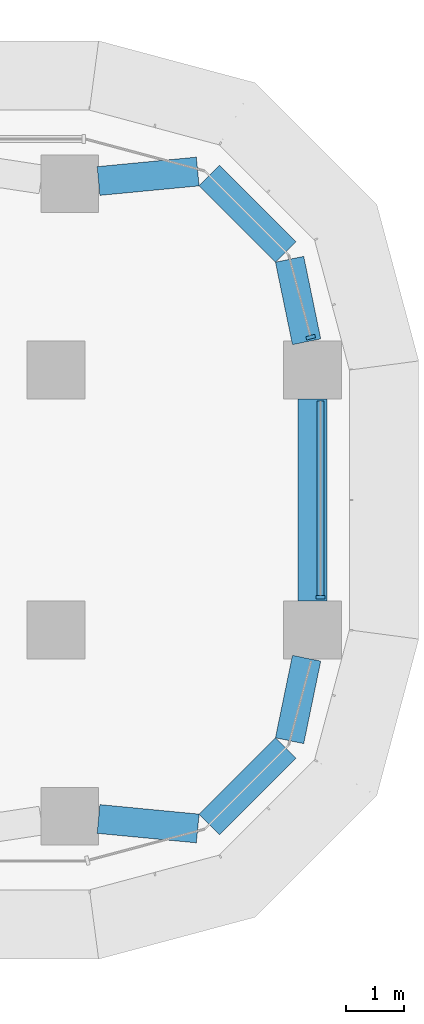
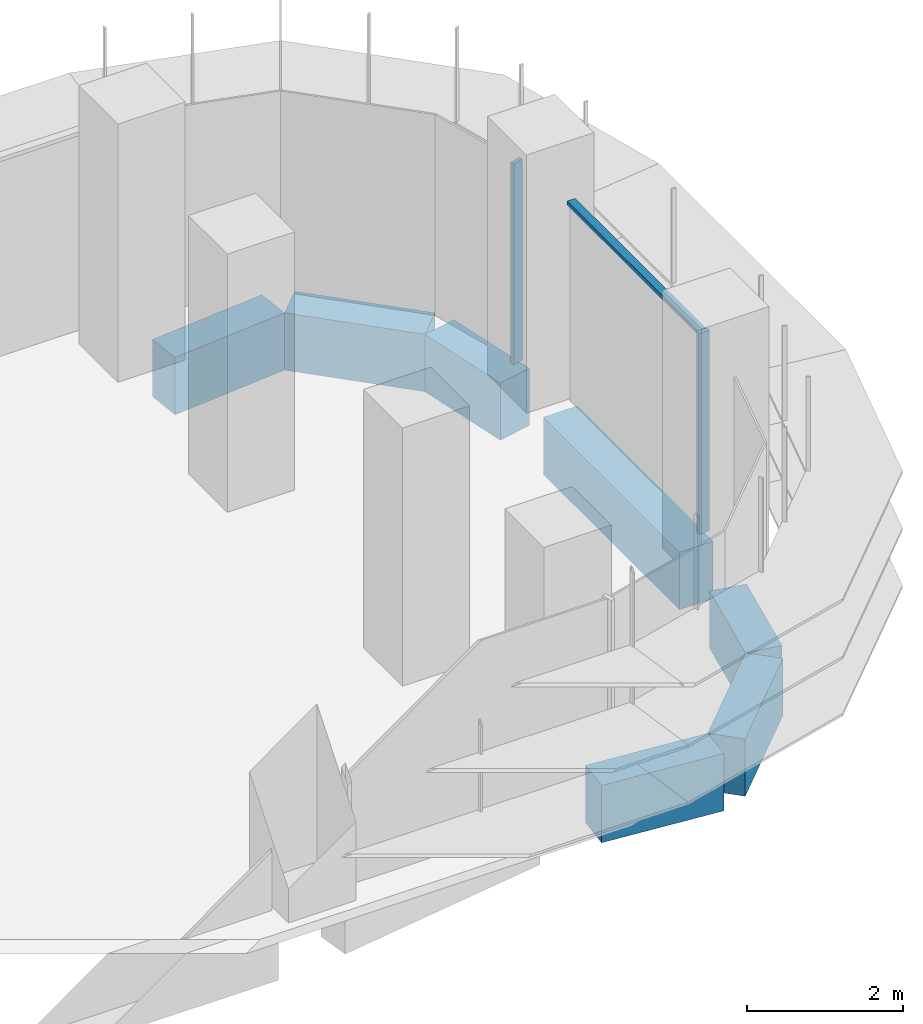
# One storey, part 11 of 23: 7 beams, 3 members, 2 elements without a shape of their own.
"""IFC4 building model written with IfcOpenShell, lengths in metres."""

from ifc_helpers import new_model, si_unit, direction, frame, origin, origin_2d, place, context, subcontext, project, spatial, polyline, rectangle, outline, extrude, source, transform, mapped, material, material_profile, profile_set, type_object, element, aggregate, save


model = new_model("IFC4")

# Units and contexts
model_context = context("Model", 3, precision=1e-05, world=origin(), true_north=direction((0.0, 1.0)))
body_context = subcontext(model_context, "Body", "Model", "MODEL_VIEW")
ifc_project = project(units=[si_unit("LENGTHUNIT", "METRE"), si_unit("AREAUNIT", "SQUARE_METRE"), si_unit("VOLUMEUNIT", "CUBIC_METRE"), si_unit("PLANEANGLEUNIT", "RADIAN"), si_unit("MASSUNIT", "GRAM", prefix="KILO")], contexts=[model_context])

# Site, building, storey
site_placement = place(None, origin())
site = spatial("IfcSite", under=ifc_project, at=site_placement, CompositionType="ELEMENT")
building_placement = place(site_placement, origin())
building = spatial("IfcBuilding", under=site, at=building_placement, Name="Zarbagh Exchange Tower", CompositionType="ELEMENT")
storey_placement = place(building_placement, frame((0.0, 0.0, 73.199951171875)))
storey = spatial("IfcBuildingStorey", under=building, at=storey_placement, Name="L16", CompositionType="ELEMENT", Elevation=73.199951171875)

# Beams
ifc_material_1 = material(Name="Concrete C60/75", Category="concrete")
ifc_material_profile = material_profile(ifc_material_1, rectangle(XDim=0.5, YDim=0.89990234375, at=origin_2d()), Name="RC spandrel beam 500 x 900 C60/75")
ifc_profile_set = profile_set([ifc_material_profile], Name="Concrete C60/75")
beam_type = type_object("IfcBeamType", Name="RC spandrel beam 500 x 900 C60/75", PredefinedType="SPANDREL", material=ifc_profile_set)
beam_1_placement = place(storey_placement, frame((29.40576171875, 5.522705078125, -0.599853515625), z_axis=(0.995431032456, 0.095483294999, 0.0), x_axis=(-0.095483294999, 0.995431032456, 0.0)))
element("IfcBeam", 1, at=beam_1_placement, inside=storey, type_object=beam_type, Name="RC spandrel beam", PredefinedType="SPANDREL", context=body_context, shape_type="SweptSolid", body=[
    extrude(rectangle(XDim=0.5, YDim=0.89990234375, at=origin_2d()), origin(), (0.0, 0.0, 1.0), 1.725830078125),
])
beam_2_placement = place(storey_placement, frame((31.324462890625, 5.615478515625, -0.599853515625), z_axis=(0.707172099812, -0.707041456527, 0.0), x_axis=(0.707041456527, 0.707172099812, 0.0)))
element("IfcBeam", 2, at=beam_2_placement, inside=storey, type_object=beam_type, Name="RC spandrel beam", PredefinedType="SPANDREL", context=body_context, shape_type="SweptSolid", body=[
    extrude(rectangle(XDim=0.5, YDim=0.89990234375, at=origin_2d()), origin(), (0.0, 0.0, 1.0), 1.86865234375),
])
beam_3_placement = place(storey_placement, frame((32.714111328125, 4.16796875, -0.599853515625), z_axis=(0.202068589164, -0.9793713725, 0.0), x_axis=(0.9793713725, 0.202068589164, 0.0)))
element("IfcBeam", 3, at=beam_3_placement, inside=storey, type_object=beam_type, Name="RC spandrel beam", PredefinedType="SPANDREL", context=body_context, shape_type="SweptSolid", body=[
    extrude(rectangle(XDim=0.5, YDim=0.89990234375, at=origin_2d()), origin(), (0.0, 0.0, 1.0), 1.458251953125),
])
beam_4_placement = place(storey_placement, frame((33.110107421875, 1.75, -0.599853515625), z_axis=(0.0, -1.0, 0.0), x_axis=(1.0, 0.0, 0.0)))
element("IfcBeam", 4, at=beam_4_placement, inside=storey, type_object=beam_type, Name="RC spandrel beam", PredefinedType="SPANDREL", context=body_context, shape_type="SweptSolid", body=[
    extrude(rectangle(XDim=0.5, YDim=0.89990234375, at=origin_2d()), origin(), (0.0, 0.0, 1.0), 3.5),
])
beam_5_placement = place(storey_placement, frame((33.0087890625, -2.73974609375, -0.599853515625), z_axis=(-0.202068589164, -0.9793713725, 0.0), x_axis=(0.9793713725, -0.202068589164, 0.0)))
element("IfcBeam", 5, at=beam_5_placement, inside=storey, type_object=beam_type, Name="RC spandrel beam", PredefinedType="SPANDREL", context=body_context, shape_type="SweptSolid", body=[
    extrude(rectangle(XDim=0.5, YDim=0.89990234375, at=origin_2d()), origin(), (0.0, 0.0, 1.0), 1.458251953125),
])
beam_6_placement = place(storey_placement, frame((32.64599609375, -4.294189453125, -0.599853515625), z_axis=(-0.707172099812, -0.707041456527, 0.0), x_axis=(0.707041456527, -0.707172099812, 0.0)))
element("IfcBeam", 6, at=beam_6_placement, inside=storey, type_object=beam_type, Name="RC spandrel beam", PredefinedType="SPANDREL", context=body_context, shape_type="SweptSolid", body=[
    extrude(rectangle(XDim=0.5, YDim=0.89990234375, at=origin_2d()), origin(), (0.0, 0.0, 1.0), 1.86865234375),
])
beam_7_placement = place(storey_placement, frame((31.123779296875, -5.6875, -0.599853515625), z_axis=(-0.995431032456, 0.095483294999, 0.0), x_axis=(-0.095483294999, -0.995431032456, 0.0)))
element("IfcBeam", 7, at=beam_7_placement, inside=storey, type_object=beam_type, Name="RC spandrel beam", PredefinedType="SPANDREL", context=body_context, shape_type="SweptSolid", body=[
    extrude(rectangle(XDim=0.5, YDim=0.89990234375, at=origin_2d()), origin(), (0.0, 0.0, 1.0), 1.725830078125),
])

# Curtain wall, member
ifc_material_2 = material(Name="Anodised aluminium frame and glazing", Category="aluminium")
curtain_wall_type = type_object("IfcCurtainWallType", Name="CWA Ribbon glazing, lower zones", PredefinedType="NOTDEFINED", material=ifc_material_2)
curtain_wall_1_placement = place(storey_placement, origin())
curtain_wall_1 = element("IfcCurtainWall", 8, at=curtain_wall_1_placement, inside=storey, type_object=curtain_wall_type, Name="CWA12 curtain wall", PredefinedType="NOTDEFINED")
ifc_material_3 = material(Name="Anodised aluminium frame", Category="aluminium")
member_type_1 = type_object("IfcMemberType", Name="MUA Mullion, anodised aluminium frame", PredefinedType="MULLION", material=ifc_material_3)
shared_shape_1 = source(origin(), body_context, "Body", "SweptSolid", [
    extrude(outline(polyline([(0.0, -0.080078125), (0.06005859375, -0.080078125), (0.06005859375, 0.080078125), (0.0, 0.080078125), (0.0, -0.080078125)])), origin(), (0.0, 0.0, 1.0), 3.14990234375),
])
placement = place(storey_placement, origin())
member_1 = element("IfcMember", 9, at=placement, type_object=member_type_1, Name="CWA12 mullion 1.1", PredefinedType="MULLION", context=body_context, shape_type="MappedRepresentation", body=[
    mapped(shared_shape_1, transform((33.25, -1.7099609375, 0.0), x_axis=(0.0, 1.0, 0.0), y_axis=(-1.0, 0.0, 0.0), z_axis=(0.0, 0.0, 1.0))),
])

curtain_wall_2_placement = place(storey_placement, origin())
curtain_wall_2 = element("IfcCurtainWall", 10, at=curtain_wall_2_placement, inside=storey, type_object=curtain_wall_type, Name="CWA13 curtain wall", PredefinedType="NOTDEFINED")
member_2 = element("IfcMember", 11, at=placement, type_object=member_type_1, Name="CWA13 mullion 1.1", PredefinedType="MULLION", context=body_context, shape_type="MappedRepresentation", body=[
    mapped(shared_shape_1, transform((33.087646484375, 2.7900390625, 0.0), x_axis=(-0.258824779902, 0.965924289636, 0.0), y_axis=(-0.965924289636, -0.258824779902, 0.0), z_axis=(0.0, 0.0, 1.0))),
])
aggregate(curtain_wall_2, [member_2])

# Member
member_type_2 = type_object("IfcMemberType", Name="TRA Transom, anodised aluminium frame", PredefinedType="USERDEFINED", material=ifc_material_3)
shared_shape_2 = source(origin(), body_context, "Body", "SweptSolid", [
    extrude(outline(polyline([(-0.06005859375, -0.06005859375), (0.0, -0.06005859375), (0.0, 0.06005859375), (-0.06005859375, 0.06005859375), (-0.06005859375, -0.06005859375)])), origin(), (0.0, 0.0, 1.0), 3.360107421875),
])
member_3 = element("IfcMember", 12, at=placement, type_object=member_type_2, Name="CWA12 transom 1.1", ObjectType="TRANSOM", PredefinedType="USERDEFINED", context=body_context, shape_type="MappedRepresentation", body=[
    mapped(shared_shape_2, transform((33.25, -1.64990234375, 3.150146484375), x_axis=(0.0, 0.0, 1.0), y_axis=(1.0, 0.0, 0.0), z_axis=(0.0, 1.0, 0.0))),
])

aggregate(curtain_wall_1, [member_1, member_3])

save(model, "model.ifc")
